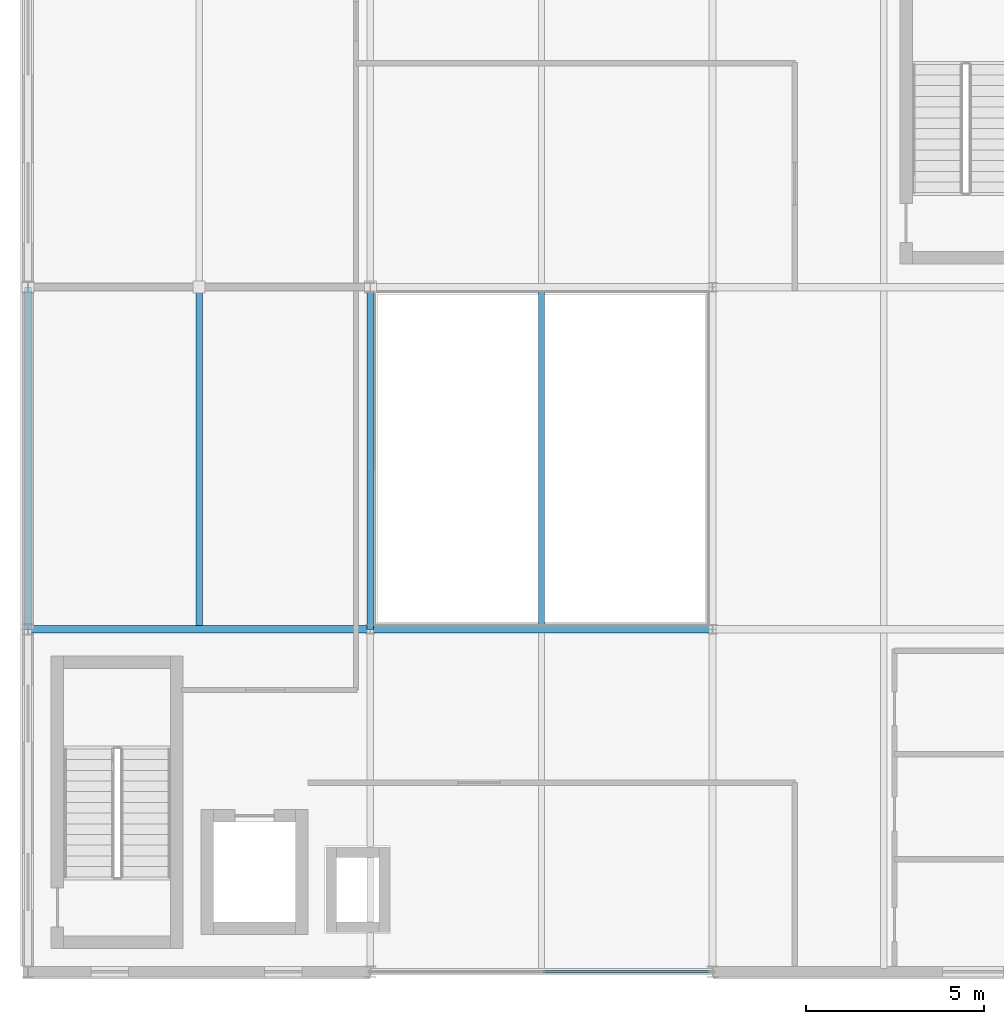
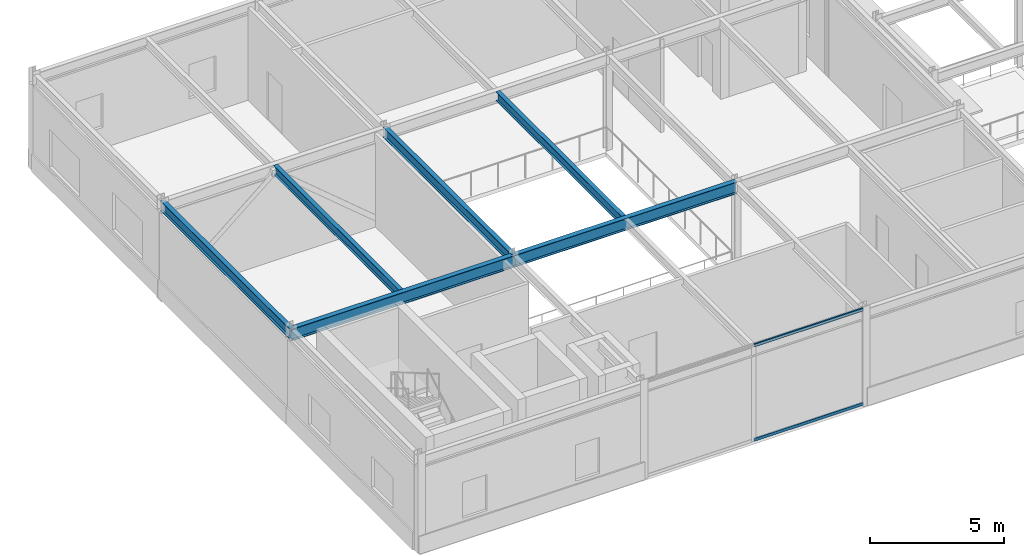
# One storey, part 23 of 157: 6 beams, 2 members, 1 element without a shape of its own.
"""IFC4 building model written with IfcOpenShell, lengths in metres."""

from ifc_helpers import new_model, si_unit, direction, frame, origin, origin_2d, place, context, subcontext, project, spatial, hollow_rectangle, i_section, extrude, material, material_profile, profile_set, type_object, element, aggregate, save


model = new_model("IFC4")

# Units and contexts
model_context = context("Model", 3, precision=1e-05, world=origin(), true_north=direction((0.0, 1.0)))
body_context = subcontext(model_context, "Body", "Model", "MODEL_VIEW")
ifc_project = project(units=[si_unit("LENGTHUNIT", "METRE"), si_unit("AREAUNIT", "SQUARE_METRE"), si_unit("VOLUMEUNIT", "CUBIC_METRE"), si_unit("PLANEANGLEUNIT", "RADIAN"), si_unit("MASSUNIT", "GRAM", prefix="KILO")], contexts=[model_context])

# Site, building, storey
site_placement = place(None, origin())
site = spatial("IfcSite", under=ifc_project, at=site_placement, CompositionType="ELEMENT")
building_placement = place(site_placement, origin())
building = spatial("IfcBuilding", under=site, at=building_placement, Name="Almandine Court Research Institute", CompositionType="ELEMENT")
storey_placement = place(building_placement, frame((0.0, 0.0, 5.25)))
storey = spatial("IfcBuildingStorey", under=building, at=storey_placement, Name="L01", CompositionType="ELEMENT", Elevation=5.25)

# Beams
ifc_material_1 = material(Name="Steel ASTM A992 Grade 50", Category="steel")
ifc_material_profile_1 = material_profile(ifc_material_1, i_section(OverallWidth=0.18994140625, OverallDepth=0.45703125, WebThickness=0.009033203125, FlangeThickness=0.014892578125, at=origin_2d()), Name="W460x74")
ifc_profile_set_1 = profile_set([ifc_material_profile_1], Name="Steel ASTM A992 Grade 50")
beam_type_1 = type_object("IfcBeamType", Name="Beam-B-01", PredefinedType="BEAM", material=ifc_profile_set_1)
beam_1_placement = place(storey_placement, frame((15.60009765625, 15.60009765625, 4.14111328125), z_axis=(0.0, 1.0, 0.0), x_axis=(-1.0, 0.0, 0.0)))
element("IfcBeam", 1, at=beam_1_placement, inside=storey, type_object=beam_type_1, Name="L01 V1 Primary Y Girder", PredefinedType="BEAM", context=body_context, shape_type="SweptSolid", body=[
    extrude(i_section(OverallWidth=0.18994140625, OverallDepth=0.45703125, WebThickness=0.009033203125, FlangeThickness=0.014892578125, at=origin_2d()), origin(), (0.0, 0.0, 1.0), 9.599853515625),
])
ifc_material_profile_2 = material_profile(ifc_material_1, i_section(OverallWidth=0.178955078125, OverallDepth=0.409912109375, WebThickness=0.009033203125, FlangeThickness=0.013916015625, at=origin_2d()), Name="W410x67")
ifc_profile_set_2 = profile_set([ifc_material_profile_2], Name="Steel ASTM A992 Grade 50")
beam_type_2 = type_object("IfcBeamType", Name="Beam-B-02", PredefinedType="JOIST", material=ifc_profile_set_2)
for number, where, z_axis, x_axis, name in (
    (2, (10.800048828125, 15.7041015625, 4.1650390625), (0.0, 1.0, 0.0), (-1.0, 0.0, 0.0), "L01 V1 Composite Secondary Beam"),
    (3, (20.39990234375, 15.7041015625, 4.1650390625), (0.0, 1.0, 0.0), (-1.0, 0.0, 0.0), "L01 V1 Composite Secondary Beam"),
):
    element("IfcBeam", number, at=place(storey_placement, frame(where, z_axis=z_axis, x_axis=x_axis)), inside=storey, type_object=beam_type_2, Name=name, PredefinedType="JOIST", context=body_context, shape_type="SweptSolid", body=[
        extrude(i_section(OverallWidth=0.178955078125, OverallDepth=0.409912109375, WebThickness=0.009033203125, FlangeThickness=0.013916015625, at=origin_2d()), origin(), (0.0, 0.0, 1.0), 9.391845703125),
    ])
ifc_material_profile_3 = material_profile(ifc_material_1, i_section(OverallWidth=0.2109375, OverallDepth=0.5390625, WebThickness=0.011962890625, FlangeThickness=0.01904296875, at=origin_2d()), Name="W530x109")
ifc_profile_set_3 = profile_set([ifc_material_profile_3], Name="Steel ASTM A992 Grade 50")
beam_type_3 = type_object("IfcBeamType", Name="Beam-G-04", PredefinedType="BEAM", material=ifc_profile_set_3)
beam_2_placement = place(storey_placement, frame((6.0, 15.60009765625, 4.10009765625), z_axis=(1.0, 0.0, 0.0), x_axis=(0.0, 1.0, 0.0)))
element("IfcBeam", 4, at=beam_2_placement, inside=storey, type_object=beam_type_3, Name="L01 V1 Primary X Girder", PredefinedType="BEAM", context=body_context, shape_type="SweptSolid", body=[
    extrude(i_section(OverallWidth=0.2109375, OverallDepth=0.5390625, WebThickness=0.011962890625, FlangeThickness=0.01904296875, at=origin_2d()), origin(), (0.0, 0.0, 1.0), 9.60009765625),
])
beam_3_placement = place(storey_placement, frame((15.60009765625, 15.60009765625, 4.10009765625), z_axis=(1.0, 0.0, 0.0), x_axis=(0.0, 1.0, 0.0)))
element("IfcBeam", 5, at=beam_3_placement, inside=storey, type_object=beam_type_3, Name="L01 V1 Primary X Girder", PredefinedType="BEAM", context=body_context, shape_type="SweptSolid", body=[
    extrude(i_section(OverallWidth=0.2109375, OverallDepth=0.5390625, WebThickness=0.011962890625, FlangeThickness=0.01904296875, at=origin_2d()), origin(), (0.0, 0.0, 1.0), 9.599853515625),
])
ifc_material_profile_4 = material_profile(ifc_material_1, i_section(OverallWidth=0.193115234375, OverallDepth=0.466064453125, WebThickness=0.010986328125, FlangeThickness=0.01904296875, at=origin_2d()), Name="W460x97")
ifc_profile_set_4 = profile_set([ifc_material_profile_4], Name="Steel ASTM A992 Grade 50")
beam_type_4 = type_object("IfcBeamType", Name="Beam-G-06-E", PredefinedType="SPANDREL", material=ifc_profile_set_4)
beam_4_placement = place(storey_placement, frame((6.0, 15.60009765625, 4.136962890625), z_axis=(0.0, 1.0, 0.0), x_axis=(-1.0, 0.0, 0.0)))
element("IfcBeam", 6, at=beam_4_placement, inside=storey, type_object=beam_type_4, Name="L01 V1 Primary Y Girder", PredefinedType="SPANDREL", context=body_context, shape_type="SweptSolid", body=[
    extrude(i_section(OverallWidth=0.193115234375, OverallDepth=0.466064453125, WebThickness=0.010986328125, FlangeThickness=0.01904296875, at=origin_2d()), origin(), (0.0, 0.0, 1.0), 9.599853515625),
])

# Curtain wall, members
ifc_material_2 = material(Name="Unitised Curtain Wall Framing and Solar Glazing", Category="glass")
curtain_wall_type = type_object("IfcCurtainWallType", Name="CW-CWJ-02", PredefinedType="USERDEFINED", material=ifc_material_2)
curtain_wall_placement = place(storey_placement, origin())
curtain_wall = element("IfcCurtainWall", 7, at=curtain_wall_placement, inside=storey, type_object=curtain_wall_type, Name="L01 Lecture Foyer South Jali Curtain Wall", ObjectType="SOLAR JALI SCREEN", PredefinedType="USERDEFINED")
ifc_material_3 = material(Name="Anodised Aluminium AW-6063-T6", Category="aluminium")
ifc_material_profile_5 = material_profile(ifc_material_3, hollow_rectangle(XDim=0.06494140625, YDim=0.1298828125, WallThickness=0.00390625, at=origin_2d()), Name="ALU RHS 65x130x4")
ifc_profile_set_5 = profile_set([ifc_material_profile_5], Name="Anodised Aluminium AW-6063-T6")
member_type = type_object("IfcMemberType", Name="CWTrn-65x130", PredefinedType="NOTDEFINED", material=ifc_profile_set_5)
member_1_placement = place(storey_placement, frame((25.131103515625, 6.0, 0.032470703125), z_axis=(-1.0, 0.0, 0.0), x_axis=(0.0, -1.0, 0.0)))
member_1 = element("IfcMember", 8, at=member_1_placement, type_object=member_type, Name="CWJ-02 transom 1.1", ObjectType="TRANSOM", PredefinedType="USERDEFINED", context=body_context, shape_type="SweptSolid", body=[
    extrude(hollow_rectangle(XDim=0.06494140625, YDim=0.1298828125, WallThickness=0.00390625, at=origin_2d()), origin(), (0.0, 0.0, 1.0), 4.698486328125),
])
member_2_placement = place(storey_placement, frame((25.131103515625, 6.0, 4.33740234375), z_axis=(-1.0, 0.0, 0.0), x_axis=(0.0, -1.0, 0.0)))
member_2 = element("IfcMember", 9, at=member_2_placement, type_object=member_type, Name="CWJ-02 transom 1.2", ObjectType="TRANSOM", PredefinedType="USERDEFINED", context=body_context, shape_type="SweptSolid", body=[
    extrude(hollow_rectangle(XDim=0.06494140625, YDim=0.1298828125, WallThickness=0.00390625, at=origin_2d()), origin(), (0.0, 0.0, 1.0), 4.698486328125),
])
aggregate(curtain_wall, [member_1, member_2])

save(model, "model.ifc")
